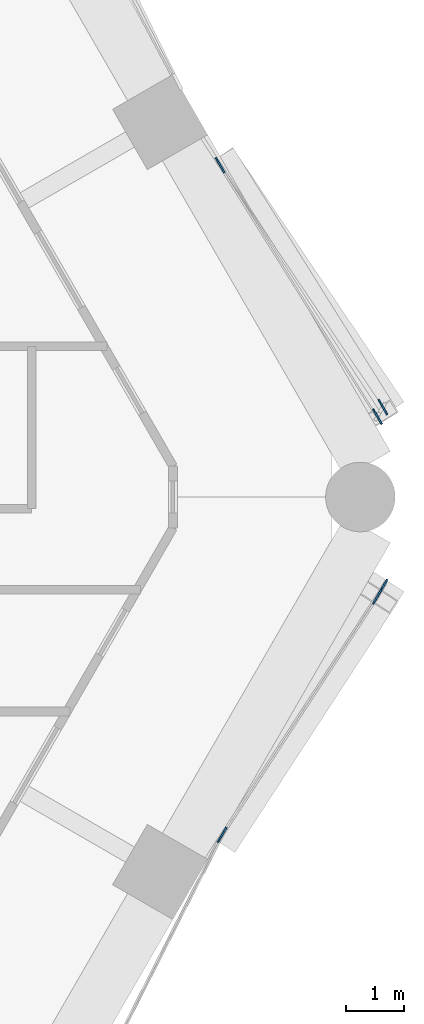
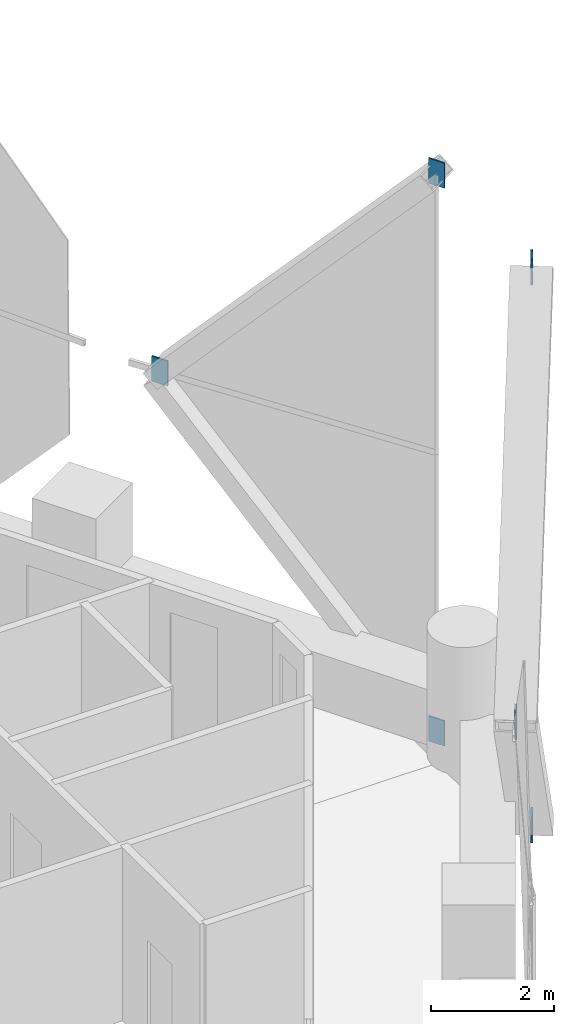
# One storey, part 15 of 16: 6 discrete accessories.
"""IFC4 building model written with IfcOpenShell, lengths in metres."""

from ifc_helpers import new_model, si_unit, direction, frame, origin, origin_2d, place, context, subcontext, project, spatial, rectangle, extrude, material, layer, layer_set, type_object, element, save


model = new_model("IFC4")

# Units and contexts
model_context = context("Model", 3, precision=1e-05, world=origin(), true_north=direction((0.0, 1.0)))
body_context = subcontext(model_context, "Body", "Model", "MODEL_VIEW")
ifc_project = project(units=[si_unit("LENGTHUNIT", "METRE"), si_unit("AREAUNIT", "SQUARE_METRE"), si_unit("VOLUMEUNIT", "CUBIC_METRE"), si_unit("PLANEANGLEUNIT", "RADIAN"), si_unit("MASSUNIT", "GRAM", prefix="KILO")], contexts=[model_context])

# Site, building, storey
site_placement = place(None, origin())
site = spatial("IfcSite", under=ifc_project, at=site_placement, CompositionType="ELEMENT")
building_placement = place(site_placement, origin())
building = spatial("IfcBuilding", under=site, at=building_placement, Name="Ostrander Bayou Hotel Tower", CompositionType="ELEMENT")
storey_placement = place(building_placement, frame((0.0, 0.0, 85.5)))
storey = spatial("IfcBuildingStorey", under=building, at=storey_placement, Name="L21", CompositionType="ELEMENT", Elevation=85.5)

# Discrete accessories
ifc_material = material(Name="Steel ASTM A572 Gr 50", Category="steel")
ifc_layer = layer(ifc_material, 0.030029296875)
ifc_layer_set = layer_set([ifc_layer], Name="GP1 gusset plate 30 mm")
discrete_accessory_type = type_object("IfcDiscreteAccessoryType", Name="GP1 gusset plate 30 mm", PredefinedType="BRACKET", material=ifc_layer_set)
for number, where, z_axis, x_axis, name in (
    (1, (20.082763671875, -5.826904296875, 4.77490234375), (0.0, 0.0, 1.0), (0.5, 0.866025403784, 0.0), "GP1 gusset plate lat 138"),
    (2, (22.8564453125, -1.551513671875, -0.85009765625), (0.0, 0.0, 1.0), (0.5, 0.866025403784, 0.0), "GP1 gusset plate lat 139"),
    (3, (22.761962890625, -1.715087890625, 10.39990234375), (0.0, 0.0, 1.0), (0.5, 0.866025403784, 0.0), "GP1 gusset plate lat 140"),
    (4, (20.04736328125, 5.724853515625, 4.77490234375), (0.0, 0.0, 1.0), (-0.5, 0.866025403784, 0.0), "GP1 gusset plate lat 141"),
    (5, (22.8564453125, 1.551513671875, -0.85009765625), (0.0, 0.0, 1.0), (-0.5, 0.866025403784, 0.0), "GP1 gusset plate lat 142"),
    (6, (22.761962890625, 1.387939453125, 10.39990234375), (0.0, 0.0, 1.0), (-0.5, 0.866025403784, 0.0), "GP1 gusset plate lat 143"),
):
    element("IfcDiscreteAccessory", number, at=place(storey_placement, frame(where, z_axis=z_axis, x_axis=x_axis)), inside=storey, type_object=discrete_accessory_type, Name=name, PredefinedType="BRACKET", context=body_context, shape_type="SweptSolid", body=[
        extrude(rectangle(XDim=0.300048828125, YDim=0.030029296875, at=origin_2d()), origin(), (0.0, 0.0, 1.0), 0.5),
    ])

save(model, "model.ifc")
